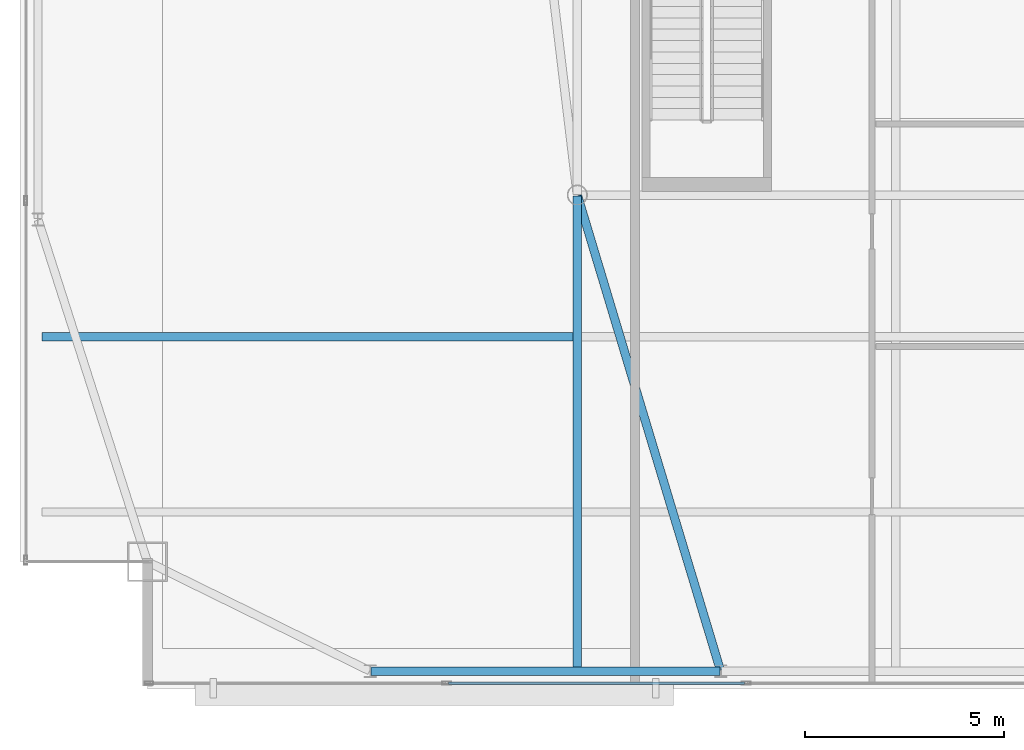
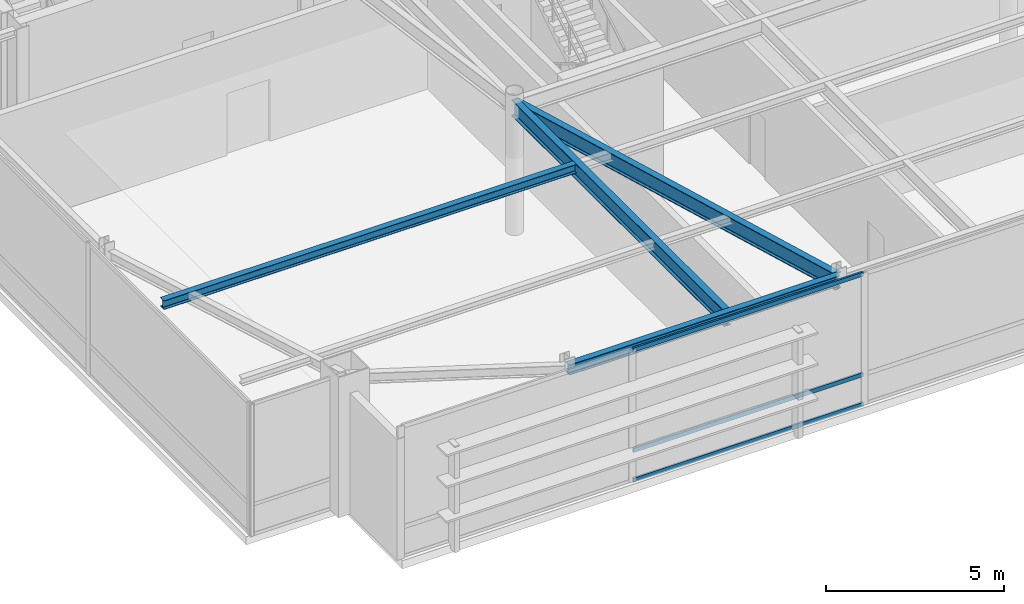
# One storey, part 6 of 21: 4 beams, 3 members, 1 element without a shape of its own.
"""IFC4 building model written with IfcOpenShell, lengths in metres."""

from ifc_helpers import new_model, si_unit, direction, frame, origin, origin_2d, place, context, subcontext, project, spatial, hollow_rectangle, i_section, extrude, source, transform, mapped, material, layer, layer_set, material_profile, profile_set, type_object, type_shapes, element, aggregate, save


model = new_model("IFC4")

# Units and contexts
model_context = context("Model", 3, precision=1e-05, world=origin(), true_north=direction((0.0, 1.0)))
body_context = subcontext(model_context, "Body", "Model", "MODEL_VIEW")
ifc_project = project(units=[si_unit("LENGTHUNIT", "METRE"), si_unit("AREAUNIT", "SQUARE_METRE"), si_unit("VOLUMEUNIT", "CUBIC_METRE"), si_unit("PLANEANGLEUNIT", "RADIAN"), si_unit("MASSUNIT", "GRAM", prefix="KILO")], contexts=[model_context])

# Site, building, storey
site_placement = place(None, origin())
site = spatial("IfcSite", under=ifc_project, at=site_placement, CompositionType="ELEMENT")
building_placement = place(site_placement, origin())
building = spatial("IfcBuilding", under=site, at=building_placement, Name="Varnel Quay Broadcast Tower", CompositionType="ELEMENT")
storey_placement = place(building_placement, frame((0.0, 0.0, 300.199951171875)))
storey = spatial("IfcBuildingStorey", under=building, at=storey_placement, Name="L75", CompositionType="ELEMENT", Elevation=300.199951171875)

# Beams
ifc_material_1 = material(Name="Structural Steel CSA G40.21 350W", Category="steel")
ifc_material_profile_1 = material_profile(ifc_material_1, i_section(OverallWidth=0.205078125, OverallDepth=0.35400390625, WebThickness=0.009521484375, FlangeThickness=0.016845703125, FilletRadius=0.012939453125, at=origin_2d()), Name="W360X79")
ifc_profile_set_1 = profile_set([ifc_material_profile_1], Name="Structural Steel CSA G40.21 350W")
beam_type_1 = type_object("IfcBeamType", Name="Beam_W360X79", PredefinedType="SPANDREL", material=ifc_profile_set_1)
shared_shape_1 = source(origin(), body_context, "Body", "SweptSolid", [
    extrude(i_section(OverallWidth=0.205078125, OverallDepth=0.35400390625, WebThickness=0.009521484375, FlangeThickness=0.016845703125, FilletRadius=0.012939453125, at=origin_2d()), origin(), (0.0, 0.0, 1.0), 8.760009765625),
])
type_shapes(beam_type_1, [shared_shape_1])
beam_1_placement = place(storey_placement, frame((20.820068359375, 13.64990234375, 4.343017578125), z_axis=(1.0, 0.0, 0.0), x_axis=(0.0, 1.0, 0.0)))
element("IfcBeam", 1, at=beam_1_placement, inside=storey, type_object=beam_type_1, Name="L75 South Spandrel TC-S1-TC-S2", PredefinedType="SPANDREL", context=body_context, shape_type="MappedRepresentation", body=[
    mapped(shared_shape_1, transform((0.0, 0.0, 0.0), x_axis=(1.0, 0.0, 0.0), y_axis=(0.0, 1.0, 0.0), z_axis=(0.0, 0.0, 1.0), scale=1.0)),
])
ifc_material_profile_2 = material_profile(ifc_material_1, i_section(OverallWidth=0.2119140625, OverallDepth=0.5439453125, WebThickness=0.01318359375, FlangeThickness=0.021240234375, FilletRadius=0.013916015625, at=origin_2d()), Name="W530X123")
ifc_profile_set_2 = profile_set([ifc_material_profile_2], Name="Structural Steel CSA G40.21 350W")
beam_type_2 = type_object("IfcBeamType", Name="Girder_W530X123", PredefinedType="BEAM", material=ifc_profile_set_2)
shared_shape_2 = source(origin(), body_context, "Body", "SweptSolid", [
    extrude(i_section(OverallWidth=0.2119140625, OverallDepth=0.5439453125, WebThickness=0.01318359375, FlangeThickness=0.021240234375, FilletRadius=0.013916015625, at=origin_2d()), origin(), (0.0, 0.0, 1.0), 12.449951171875),
])
beam_2_placement = place(storey_placement, frame((29.59423828125, 13.669189453125, 4.248046875), z_axis=(-0.28822390679, 0.957563042078, 0.0), x_axis=(-0.957563042078, -0.28822390679, 0.0)))
element("IfcBeam", 2, at=beam_2_placement, inside=storey, type_object=beam_type_2, Name="L75 Primary Girder TC-S2-IC-01", PredefinedType="BEAM", context=body_context, shape_type="MappedRepresentation", body=[
    mapped(shared_shape_2, transform((0.0, 0.0, 0.0), x_axis=(1.0, 0.0, 0.0), y_axis=(0.0, 1.0, 0.0), z_axis=(0.0, 0.0, 1.0), scale=1.0)),
])
shared_shape_3 = source(origin(), body_context, "Body", "SweptSolid", [
    extrude(i_section(OverallWidth=0.2119140625, OverallDepth=0.5439453125, WebThickness=0.01318359375, FlangeThickness=0.021240234375, FilletRadius=0.013916015625, at=origin_2d()), origin(), (0.0, 0.0, 1.0), 11.920166015625),
])
type_shapes(beam_type_2, [shared_shape_2, shared_shape_3])
beam_3_placement = place(storey_placement, frame((26.0, 13.669921875, 4.248046875), z_axis=(0.0, 1.0, 0.0), x_axis=(-1.0, 0.0, 0.0)))
element("IfcBeam", 3, at=beam_3_placement, inside=storey, type_object=beam_type_2, Name="L75 N-S Joist Header IC-01S", PredefinedType="BEAM", context=body_context, shape_type="MappedRepresentation", body=[
    mapped(shared_shape_3, transform((0.0, 0.0, 0.0), x_axis=(1.0, 0.0, 0.0), y_axis=(0.0, 1.0, 0.0), z_axis=(0.0, 0.0, 1.0), scale=1.0)),
])
ifc_material_profile_3 = material_profile(ifc_material_1, i_section(OverallWidth=0.202880859375, OverallDepth=0.302978515625, WebThickness=0.007568359375, FlangeThickness=0.01318359375, FilletRadius=0.011962890625, at=origin_2d()), Name="W310X60")
ifc_profile_set_3 = profile_set([ifc_material_profile_3], Name="Structural Steel CSA G40.21 350W")
beam_type_3 = type_object("IfcBeamType", Name="Beam_W310X60", PredefinedType="JOIST", material=ifc_profile_set_3)
shared_shape_4 = source(origin(), body_context, "Body", "SweptSolid", [
    extrude(i_section(OverallWidth=0.202880859375, OverallDepth=0.302978515625, WebThickness=0.007568359375, FlangeThickness=0.01318359375, FilletRadius=0.011962890625, at=origin_2d()), origin(), (0.0, 0.0, 1.0), 13.351318359375),
])
type_shapes(beam_type_3, [shared_shape_4])
beam_4_placement = place(storey_placement, frame((12.547607421875, 22.050048828125, 4.36865234375), z_axis=(1.0, 0.0, 0.0), x_axis=(0.0, 1.0, 0.0)))
element("IfcBeam", 4, at=beam_4_placement, inside=storey, type_object=beam_type_3, Name="L75 West Floor Joist 2", PredefinedType="JOIST", context=body_context, shape_type="MappedRepresentation", body=[
    mapped(shared_shape_4, transform((0.0, 0.0, 0.0), x_axis=(1.0, 0.0, 0.0), y_axis=(0.0, 1.0, 0.0), z_axis=(0.0, 0.0, 1.0), scale=1.0)),
])

# Curtain wall, members
ifc_material_2 = material(Name="Anodised Bronze Aluminium 6063-T6", Category="aluminium")
ifc_layer = layer(ifc_material_2, 0.18994140625, Name="Anodised Bronze Aluminium 6063-T6")
ifc_layer_set = layer_set([ifc_layer], Name="Anodised Bronze Aluminium 6063-T6")
curtain_wall_type = type_object("IfcCurtainWallType", Name="CW_SkyObsHighVis", PredefinedType="NOTDEFINED", material=ifc_layer_set)
curtain_wall_placement = place(storey_placement, origin())
curtain_wall = element("IfcCurtainWall", 5, at=curtain_wall_placement, inside=storey, type_object=curtain_wall_type, Name="L75 South Unitised Curtain Wall 1", PredefinedType="NOTDEFINED")
ifc_material_profile_4 = material_profile(ifc_material_2, hollow_rectangle(XDim=0.06005859375, YDim=0.14501953125, WallThickness=0.00341796875, at=origin_2d()), Name="ALU60X145X3.5")
ifc_profile_set_4 = profile_set([ifc_material_profile_4], Name="Anodised Bronze Aluminium 6063-T6")
member_type = type_object("IfcMemberType", Name="Tran_CWS-05", PredefinedType="USERDEFINED", material=ifc_profile_set_4)
shared_shape_5 = source(origin(), body_context, "Body", "SweptSolid", [
    extrude(hollow_rectangle(XDim=0.06005859375, YDim=0.14501953125, WallThickness=0.00341796875, at=origin_2d()), origin(), (0.0, 0.0, 1.0), 7.44482421875),
])
type_shapes(member_type, [shared_shape_5])
member_1_placement = place(storey_placement, frame((22.757568359375, 13.35009765625, 0.030029296875), z_axis=(1.0, 0.0, 0.0), x_axis=(0.0, 1.0, 0.0)))
member_1 = element("IfcMember", 6, at=member_1_placement, type_object=member_type, Name="CWS-05 transom 2.1", ObjectType="TRANSOM", PredefinedType="USERDEFINED", context=body_context, shape_type="MappedRepresentation", body=[
    mapped(shared_shape_5, transform((0.0, 0.0, 0.0), x_axis=(1.0, 0.0, 0.0), y_axis=(0.0, 1.0, 0.0), z_axis=(0.0, 0.0, 1.0), scale=1.0)),
])
member_2_placement = place(storey_placement, frame((22.757568359375, 13.35009765625, 1.050048828125), z_axis=(1.0, 0.0, 0.0), x_axis=(0.0, 1.0, 0.0)))
member_2 = element("IfcMember", 7, at=member_2_placement, type_object=member_type, Name="CWS-05 transom 2.2", ObjectType="TRANSOM", PredefinedType="USERDEFINED", context=body_context, shape_type="MappedRepresentation", body=[
    mapped(shared_shape_5, transform((0.0, 0.0, 0.0), x_axis=(1.0, 0.0, 0.0), y_axis=(0.0, 1.0, 0.0), z_axis=(0.0, 0.0, 1.0), scale=1.0)),
])
member_3_placement = place(storey_placement, frame((22.757568359375, 13.35009765625, 4.489990234375), z_axis=(1.0, 0.0, 0.0), x_axis=(0.0, 1.0, 0.0)))
member_3 = element("IfcMember", 8, at=member_3_placement, type_object=member_type, Name="CWS-05 transom 2.3", ObjectType="TRANSOM", PredefinedType="USERDEFINED", context=body_context, shape_type="MappedRepresentation", body=[
    mapped(shared_shape_5, transform((0.0, 0.0, 0.0), x_axis=(1.0, 0.0, 0.0), y_axis=(0.0, 1.0, 0.0), z_axis=(0.0, 0.0, 1.0), scale=1.0)),
])
aggregate(curtain_wall, [member_1, member_2, member_3])

save(model, "model.ifc")
